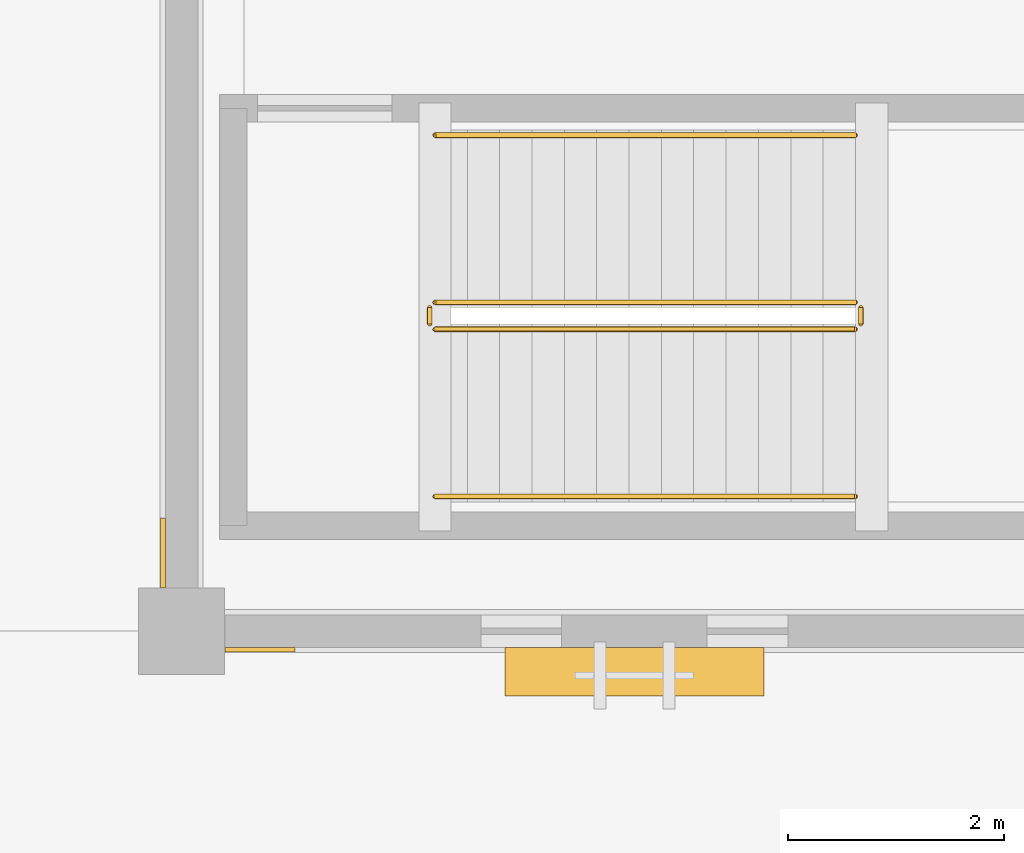
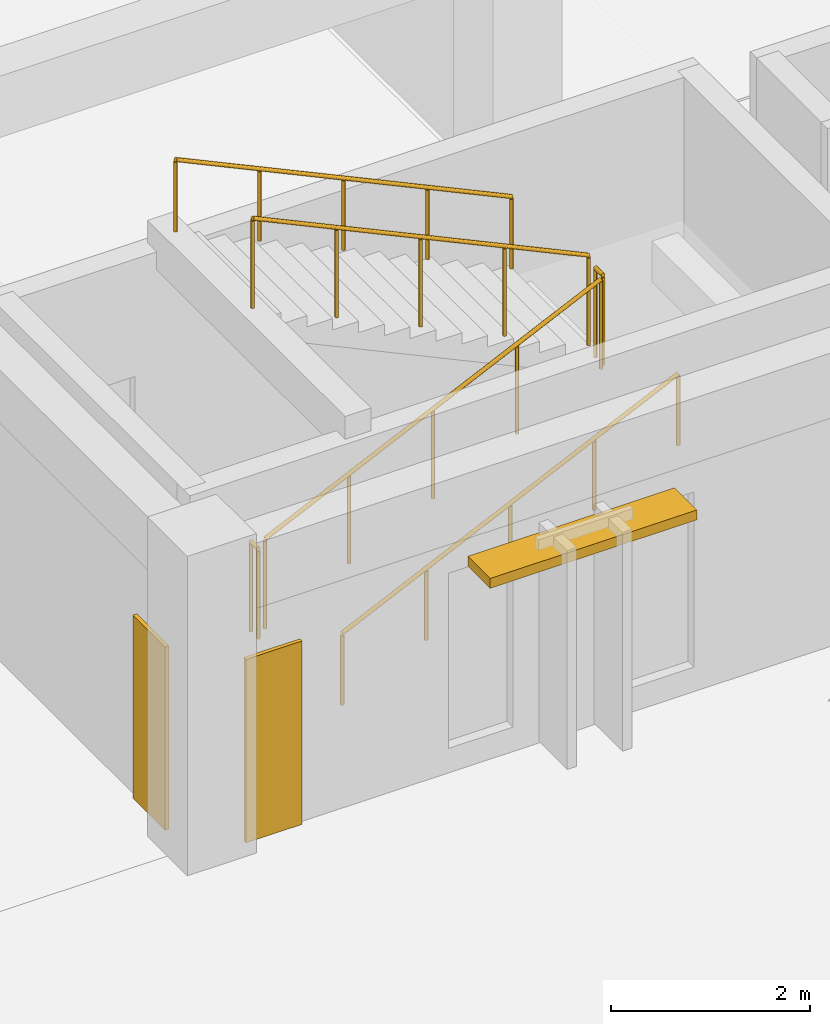
# One storey, part 127 of 135: 6 railings, 2 coverings, 1 shading device.
"""IFC4 building model written with IfcOpenShell, lengths in metres."""

from ifc_helpers import new_model, si_unit, direction, frame, origin, origin_2d, place, context, subcontext, project, spatial, polyline, rectangle, circle, outline, extrude, material, layer, layer_set, type_object, element, save


model = new_model("IFC4")

# Units and contexts
model_context = context("Model", 3, precision=1e-05, world=origin(), true_north=direction((0.0, 1.0)))
body_context = subcontext(model_context, "Body", "Model", "MODEL_VIEW")
ifc_project = project(units=[si_unit("LENGTHUNIT", "METRE"), si_unit("AREAUNIT", "SQUARE_METRE"), si_unit("VOLUMEUNIT", "CUBIC_METRE"), si_unit("PLANEANGLEUNIT", "RADIAN"), si_unit("MASSUNIT", "GRAM", prefix="KILO")], contexts=[model_context])

# Site, building, storey
site_placement = place(None, origin())
site = spatial("IfcSite", under=ifc_project, at=site_placement, CompositionType="ELEMENT")
building_placement = place(site_placement, origin())
building = spatial("IfcBuilding", under=site, at=building_placement, Name="Cumbredor Promenade Congress Hotel", CompositionType="ELEMENT")
storey_placement = place(building_placement, origin())
storey = spatial("IfcBuildingStorey", under=building, at=storey_placement, Name="L00", CompositionType="ELEMENT", Elevation=0.0)

# Coverings
ifc_material_1 = material(Name="Precast concrete C40/50", Category="concrete")
ifc_layer = layer(ifc_material_1, 0.044921875, Name="Precast concrete C40/50", Category="concrete")
ifc_layer_set = layer_set([ifc_layer], Name="Precast concrete C40/50")
covering_type = type_object("IfcCoveringType", Name="Board-Formed Architectural Cladding Panel 45mm", PredefinedType="CLADDING", material=ifc_layer_set)
covering_1_placement = place(storey_placement, origin())
element("IfcCovering", 1, at=covering_1_placement, inside=storey, type_object=covering_type, Name="L00 Facade Stone Cladding Pier 010", PredefinedType="CLADDING", context=body_context, shape_type="SweptSolid", body=[
    extrude(outline(polyline([(143.200927734375, 8.25), (143.85107421875, 8.25), (143.85107421875, 8.205078125), (143.200927734375, 8.205078125), (143.200927734375, 8.25)])), origin(), (0.0, 0.0, 1.0), 2.25),
])
covering_2_placement = place(storey_placement, origin())
element("IfcCovering", 2, at=covering_2_placement, inside=storey, type_object=covering_type, Name="L00 Facade Stone Cladding Pier 014", PredefinedType="CLADDING", context=body_context, shape_type="SweptSolid", body=[
    extrude(outline(polyline([(142.64990234375, 8.801025390625), (142.64990234375, 9.450927734375), (142.60498046875, 9.450927734375), (142.60498046875, 8.801025390625), (142.64990234375, 8.801025390625)])), origin(), (0.0, 0.0, 1.0), 2.25),
])

# Shading device
ifc_material_2 = material(Name="Thermally broken anodized aluminium", Category="aluminium")
shading_device_type = type_object("IfcShadingDeviceType", Name="Horizontal Bronze Jalousie Louvre JAL-01", PredefinedType="JALOUSIE", material=ifc_material_2)
shading_device_placement = place(storey_placement, frame((147.0, 8.02490234375, 2.4599609375), z_axis=(0.0, 0.0, 1.0), x_axis=(1.0, 0.0, 0.0)))
element("IfcShadingDevice", 3, at=shading_device_placement, inside=storey, type_object=shading_device_type, Name="L00 Horizontal Bronze Jalousie 007", PredefinedType="JALOUSIE", context=body_context, shape_type="SweptSolid", body=[
    extrude(rectangle(XDim=2.39990234375, YDim=0.449951171875, at=origin_2d()), origin(), (0.0, 0.0, 1.0), 0.1201171875),
])

# Railings
ifc_material_3 = material(Name="Brushed stainless steel", Category="steel")
railing_type_1 = type_object("IfcRailingType", Name="Interior Void & Stair Guardrail GR-1100", PredefinedType="GUARDRAIL", material=ifc_material_3)
railing_1_placement = place(storey_placement, frame((145.14990234375, 11.199951171875, 0.139892578125)))
element("IfcRailing", 4, at=railing_1_placement, inside=storey, type_object=railing_type_1, Name="L00 ST-08 stair guard 1", PredefinedType="GUARDRAIL", context=body_context, shape_type="SweptSolid", body=[
    extrude(circle(Radius=0.02392578125, at=origin_2d()), frame((0.0, 0.0, 1.09619140625), z_axis=(0.906183139995, 0.0, 0.422885465331), x_axis=(0.0, 1.0, 0.0)), (0.0, 0.0, 1.0), 4.303955078125),
    extrude(circle(Radius=0.02099609375, at=origin_2d()), origin(), (0.0, 0.0, 1.0), 1.072021484375),
    extrude(circle(Radius=0.02099609375, at=origin_2d()), frame((0.97509765625, 0.0, 0.455078125)), (0.0, 0.0, 1.0), 1.072021484375),
    extrude(circle(Radius=0.02099609375, at=origin_2d()), frame((1.9501953125, 0.0, 0.91015625)), (0.0, 0.0, 1.0), 1.072021484375),
    extrude(circle(Radius=0.02099609375, at=origin_2d()), frame((2.925048828125, 0.0, 1.364990234375)), (0.0, 0.0, 1.0), 1.072021484375),
    extrude(circle(Radius=0.02099609375, at=origin_2d()), frame((3.900146484375, 0.0, 1.820068359375)), (0.0, 0.0, 1.0), 1.072021484375),
])
railing_2_placement = place(storey_placement, frame((149.10009765625, 11.25, 1.9599609375)))
element("IfcRailing", 5, at=railing_2_placement, inside=storey, type_object=railing_type_1, Name="L00 ST-08 stair guard 2", PredefinedType="GUARDRAIL", context=body_context, shape_type="SweptSolid", body=[
    extrude(circle(Radius=0.02392578125, at=origin_2d()), frame((0.0, 0.0, 1.09619140625), z_axis=(0.0, 1.0, 0.0), x_axis=(-1.0, 0.0, 0.0)), (0.0, 0.0, 1.0), 0.14990234375),
    extrude(circle(Radius=0.02099609375, at=origin_2d()), origin(), (0.0, 0.0, 1.0), 1.072021484375),
    extrude(circle(Radius=0.02099609375, at=origin_2d()), frame((0.0, 0.14990234375, 0.0)), (0.0, 0.0, 1.0), 1.072021484375),
])
railing_3_placement = place(storey_placement, frame((149.050048828125, 11.449951171875, 2.10009765625)))
element("IfcRailing", 6, at=railing_3_placement, inside=storey, type_object=railing_type_1, Name="L00 ST-08 stair guard 3", PredefinedType="GUARDRAIL", context=body_context, shape_type="SweptSolid", body=[
    extrude(circle(Radius=0.02392578125, at=origin_2d()), frame((0.0, 0.0, 1.09619140625), z_axis=(-0.906204877032, 0.0, 0.422838882842), x_axis=(0.0, -1.0, 0.0)), (0.0, 0.0, 1.0), 4.3037109375),
    extrude(circle(Radius=0.02099609375, at=origin_2d()), origin(), (0.0, 0.0, 1.0), 1.072021484375),
    extrude(circle(Radius=0.02099609375, at=origin_2d()), frame((-0.97509765625, 0.0, 0.455078125)), (0.0, 0.0, 1.0), 1.072021484375),
    extrude(circle(Radius=0.02099609375, at=origin_2d()), frame((-1.9501953125, 0.0, 0.909912109375)), (0.0, 0.0, 1.0), 1.072021484375),
    extrude(circle(Radius=0.02099609375, at=origin_2d()), frame((-2.925048828125, 0.0, 1.36474609375)), (0.0, 0.0, 1.0), 1.072021484375),
    extrude(circle(Radius=0.02099609375, at=origin_2d()), frame((-3.900146484375, 0.0, 1.81982421875)), (0.0, 0.0, 1.0), 1.072021484375),
])
railing_4_placement = place(storey_placement, frame((145.10009765625, 11.25, 0.0)))
element("IfcRailing", 7, at=railing_4_placement, inside=storey, type_object=railing_type_1, Name="L00 ST-08 stair guard 4", PredefinedType="GUARDRAIL", context=body_context, shape_type="SweptSolid", body=[
    extrude(circle(Radius=0.02392578125, at=origin_2d()), frame((0.0, 0.0, 1.09619140625), z_axis=(0.0, 1.0, 0.0), x_axis=(-1.0, 0.0, 0.0)), (0.0, 0.0, 1.0), 0.14990234375),
    extrude(circle(Radius=0.02099609375, at=origin_2d()), origin(), (0.0, 0.0, 1.0), 1.072021484375),
    extrude(circle(Radius=0.02099609375, at=origin_2d()), frame((0.0, 0.14990234375, 0.0)), (0.0, 0.0, 1.0), 1.072021484375),
])
railing_type_2 = type_object("IfcRailingType", Name="Stair Pitch Handrail HR-900", PredefinedType="HANDRAIL", material=ifc_material_3)
railing_5_placement = place(storey_placement, frame((145.14990234375, 9.64990234375, 0.139892578125)))
element("IfcRailing", 8, at=railing_5_placement, inside=storey, type_object=railing_type_2, Name="L00 ST-08 stair handrail 1", PredefinedType="HANDRAIL", context=body_context, shape_type="SweptSolid", body=[
    extrude(circle(Radius=0.02392578125, at=origin_2d()), frame((0.0, 0.0, 0.8759765625), z_axis=(0.906183139995, 0.0, 0.422885465331), x_axis=(0.0, 1.0, 0.0)), (0.0, 0.0, 1.0), 4.303955078125),
    extrude(circle(Radius=0.02099609375, at=origin_2d()), origin(), (0.0, 0.0, 1.0), 0.851806640625),
    extrude(circle(Radius=0.02099609375, at=origin_2d()), frame((0.97509765625, 0.0, 0.455078125)), (0.0, 0.0, 1.0), 0.851806640625),
    extrude(circle(Radius=0.02099609375, at=origin_2d()), frame((1.9501953125, 0.0, 0.91015625)), (0.0, 0.0, 1.0), 0.851806640625),
    extrude(circle(Radius=0.02099609375, at=origin_2d()), frame((2.925048828125, 0.0, 1.364990234375)), (0.0, 0.0, 1.0), 0.851806640625),
    extrude(circle(Radius=0.02099609375, at=origin_2d()), frame((3.900146484375, 0.0, 1.820068359375)), (0.0, 0.0, 1.0), 0.851806640625),
])
railing_6_placement = place(storey_placement, frame((149.050048828125, 13.0, 2.10009765625)))
element("IfcRailing", 9, at=railing_6_placement, inside=storey, type_object=railing_type_2, Name="L00 ST-08 stair handrail 2", PredefinedType="HANDRAIL", context=body_context, shape_type="SweptSolid", body=[
    extrude(circle(Radius=0.02392578125, at=origin_2d()), frame((0.0, 0.0, 0.8759765625), z_axis=(-0.906204877032, 0.0, 0.422838882842), x_axis=(0.0, -1.0, 0.0)), (0.0, 0.0, 1.0), 4.3037109375),
    extrude(circle(Radius=0.02099609375, at=origin_2d()), origin(), (0.0, 0.0, 1.0), 0.851806640625),
    extrude(circle(Radius=0.02099609375, at=origin_2d()), frame((-0.97509765625, 0.0, 0.455078125)), (0.0, 0.0, 1.0), 0.851806640625),
    extrude(circle(Radius=0.02099609375, at=origin_2d()), frame((-1.9501953125, 0.0, 0.909912109375)), (0.0, 0.0, 1.0), 0.851806640625),
    extrude(circle(Radius=0.02099609375, at=origin_2d()), frame((-2.925048828125, 0.0, 1.36474609375)), (0.0, 0.0, 1.0), 0.851806640625),
    extrude(circle(Radius=0.02099609375, at=origin_2d()), frame((-3.900146484375, 0.0, 1.81982421875)), (0.0, 0.0, 1.0), 0.851806640625),
])

save(model, "model.ifc")
